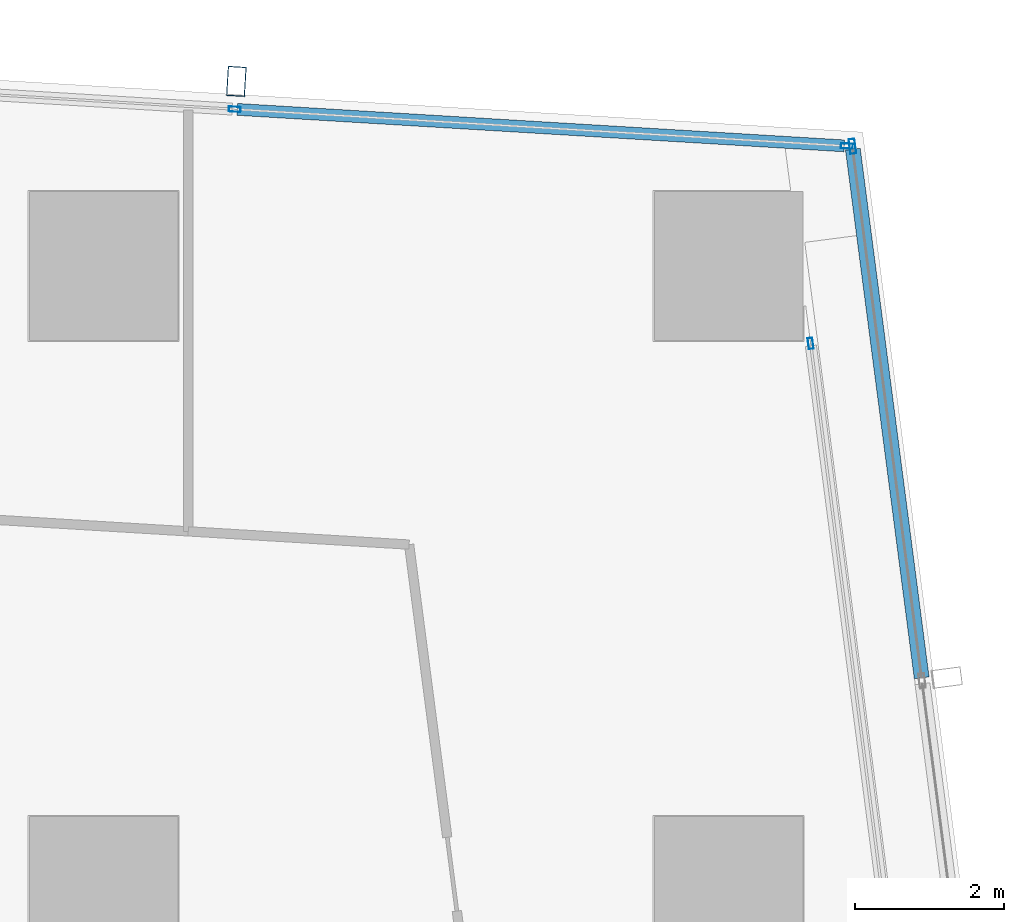
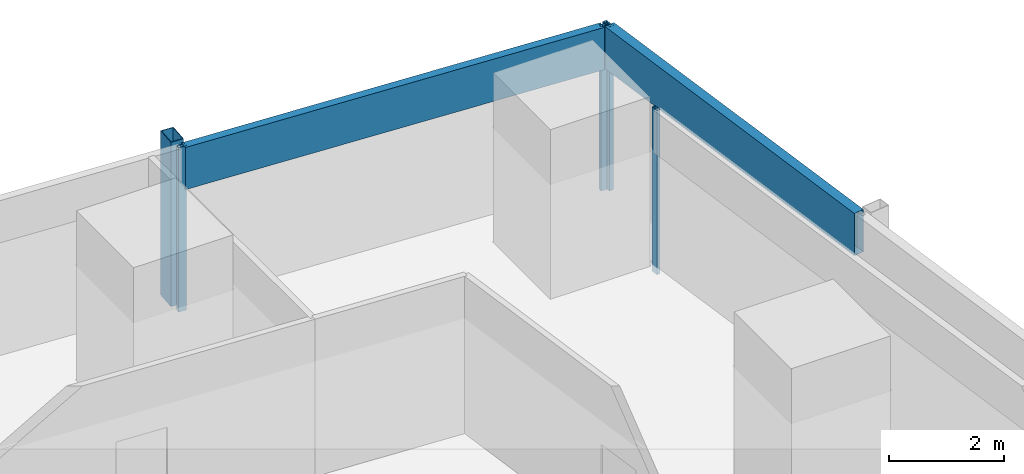
# One storey, part 19 of 36: 7 members, 3 elements without a shape of their own.
"""IFC4 building model written with IfcOpenShell, lengths in metres."""

from ifc_helpers import new_model, si_unit, direction, frame, origin, origin_2d, place, context, subcontext, project, spatial, hollow_rectangle, extrude, material, material_profile, profile_set, type_object, element, aggregate, save


model = new_model("IFC4")

# Units and contexts
model_context = context("Model", 3, precision=1e-05, world=origin(), true_north=direction((0.0, 1.0)))
body_context = subcontext(model_context, "Body", "Model", "MODEL_VIEW")
ifc_project = project(units=[si_unit("LENGTHUNIT", "METRE"), si_unit("AREAUNIT", "SQUARE_METRE"), si_unit("VOLUMEUNIT", "CUBIC_METRE"), si_unit("PLANEANGLEUNIT", "RADIAN"), si_unit("MASSUNIT", "GRAM", prefix="KILO")], contexts=[model_context])

# Site, building, storey
site_placement = place(None, origin())
site = spatial("IfcSite", under=ifc_project, at=site_placement, CompositionType="ELEMENT")
building_placement = place(site_placement, origin())
building = spatial("IfcBuilding", under=site, at=building_placement, Name="Rekha Terrace Tower", CompositionType="ELEMENT")
storey_placement = place(building_placement, frame((0.0, 0.0, 144.050048828125)))
storey = spatial("IfcBuildingStorey", under=building, at=storey_placement, Name="L36", CompositionType="ELEMENT", Elevation=144.050048828125)

# Curtain wall, member
ifc_material_1 = material(Name="Aluminium framing", Category="aluminium")
curtain_wall_type_1 = type_object("IfcCurtainWallType", Name="CW3 north unitised glazing", PredefinedType="USERDEFINED", material=ifc_material_1)
curtain_wall_1_placement = place(storey_placement, origin())
curtain_wall_1 = element("IfcCurtainWall", 1, at=curtain_wall_1_placement, inside=storey, type_object=curtain_wall_type_1, Name="CW3 unitised curtain wall", ObjectType="UNITISED CURTAIN WALL", PredefinedType="USERDEFINED")
ifc_material_2 = material(Name="Steel S355 with fluorocarbon finish", Category="steel")
ifc_material_profile_1 = material_profile(ifc_material_2, hollow_rectangle(XDim=0.25, YDim=0.39990234375, WallThickness=0.012451171875, at=origin_2d()), Name="RHS400x250x12.5")
ifc_profile_set_1 = profile_set([ifc_material_profile_1], Name="Steel S355 with fluorocarbon finish")
member_type_1 = type_object("IfcMemberType", Name="BL1 facade blade RHS 400 x 250", PredefinedType="USERDEFINED", material=ifc_profile_set_1)
member_1_placement = place(storey_placement, frame((60.583740234375, 61.281005859375, 0.0), z_axis=(0.0, 0.0, 1.0), x_axis=(-0.998199123409, 0.059987582268, 0.0)))
member_1 = element("IfcMember", 2, at=member_1_placement, type_object=member_type_1, Name="Facade blade", ObjectType="FACADE BLADE", PredefinedType="USERDEFINED", context=body_context, shape_type="SweptSolid", body=[
    extrude(hollow_rectangle(XDim=0.25, YDim=0.39990234375, WallThickness=0.012451171875, at=origin_2d()), origin(), (0.0, 0.0, 1.0), 3.5),
])

curtain_wall_type_2 = type_object("IfcCurtainWallType", Name="CW1 double skin inner glazing", PredefinedType="USERDEFINED", material=ifc_material_1)
curtain_wall_2_placement = place(storey_placement, origin())
curtain_wall_2 = element("IfcCurtainWall", 3, at=curtain_wall_2_placement, inside=storey, type_object=curtain_wall_type_2, Name="CW1 double skin inner glazing", ObjectType="DOUBLE SKIN INNER GLAZING", PredefinedType="USERDEFINED")
ifc_material_3 = material(Name="Aluminium mullion section", Category="aluminium")
ifc_material_profile_2 = material_profile(ifc_material_3, hollow_rectangle(XDim=0.06494140625, YDim=0.14990234375, WallThickness=0.00390625, at=origin_2d()), Name="AL RHS 65x150")
ifc_profile_set_2 = profile_set([ifc_material_profile_2], Name="Aluminium mullion section")
member_type_2 = type_object("IfcMemberType", Name="CW1 mullion RHS 65 x 150", PredefinedType="MULLION", material=ifc_profile_set_2)
member_2_placement = place(storey_placement, frame((68.30078125, 57.76025390625, 0.0), z_axis=(0.0, 0.0, 1.0), x_axis=(-0.991629186237, -0.129118383675, 0.0)))
member_2 = element("IfcMember", 4, at=member_2_placement, type_object=member_type_2, Name="CW1 mullion 2", PredefinedType="MULLION", context=body_context, shape_type="SweptSolid", body=[
    extrude(hollow_rectangle(XDim=0.06494140625, YDim=0.14990234375, WallThickness=0.00390625, at=origin_2d()), origin(), (0.0, 0.0, 1.0), 3.5),
])
aggregate(curtain_wall_2, [member_2])

# Curtain wall, members
curtain_wall_type_3 = type_object("IfcCurtainWallType", Name="CW2 double skin outer glazing", PredefinedType="USERDEFINED", material=ifc_material_1)
curtain_wall_3_placement = place(storey_placement, origin())
curtain_wall_3 = element("IfcCurtainWall", 5, at=curtain_wall_3_placement, inside=storey, type_object=curtain_wall_type_3, Name="CW2 double skin outer glazing", ObjectType="DOUBLE SKIN OUTER GLAZING", PredefinedType="USERDEFINED")
ifc_material_profile_3 = material_profile(ifc_material_3, hollow_rectangle(XDim=0.080078125, YDim=0.199951171875, WallThickness=0.00390625, at=origin_2d()), Name="AL RHS 80x200")
ifc_profile_set_3 = profile_set([ifc_material_profile_3], Name="Aluminium mullion section")
member_type_3 = type_object("IfcMemberType", Name="CW2 mullion RHS 80 x 200", PredefinedType="MULLION", material=ifc_profile_set_3)
member_3_placement = place(storey_placement, frame((68.863525390625, 60.408447265625, 0.0), z_axis=(0.0, 0.0, 1.0), x_axis=(-0.991629186244, -0.129118383623, 0.0)))
member_3 = element("IfcMember", 6, at=member_3_placement, type_object=member_type_3, Name="CW2 mullion 3", PredefinedType="MULLION", context=body_context, shape_type="SweptSolid", body=[
    extrude(hollow_rectangle(XDim=0.080078125, YDim=0.199951171875, WallThickness=0.00390625, at=origin_2d()), origin(), (0.0, 0.0, 1.0), 3.5),
])
ifc_material_4 = material(Name="Insulated aluminium spandrel box", Category="aluminium")
ifc_material_profile_4 = material_profile(ifc_material_4, hollow_rectangle(XDim=0.199951171875, YDim=0.89990234375, WallThickness=0.0029296875, at=origin_2d()), Name="AL SPANDREL BOX 200x900")
ifc_profile_set_4 = profile_set([ifc_material_profile_4], Name="Insulated aluminium spandrel box")
member_type_4 = type_object("IfcMemberType", Name="CW2 spandrel transom 200 x 900", PredefinedType="USERDEFINED", material=ifc_profile_set_4)
member_4_placement = place(storey_placement, frame((69.793701171875, 53.26513671875, 3.050048828125), z_axis=(-0.12912937971, 0.9916277544, 0.0), x_axis=(-0.9916277544, -0.12912937971, 0.0)))
member_4 = element("IfcMember", 7, at=member_4_placement, type_object=member_type_4, Name="CW2 spandrel transom 2", ObjectType="TRANSOM", PredefinedType="USERDEFINED", context=body_context, shape_type="SweptSolid", body=[
    extrude(hollow_rectangle(XDim=0.199951171875, YDim=0.89990234375, WallThickness=0.0029296875, at=origin_2d()), origin(), (0.0, 0.0, 1.0), 7.163818359375),
])
aggregate(curtain_wall_3, [member_3, member_4])

# Member
ifc_material_profile_5 = material_profile(ifc_material_3, hollow_rectangle(XDim=0.070068359375, YDim=0.159912109375, WallThickness=0.00390625, at=origin_2d()), Name="AL RHS 70x160")
ifc_profile_set_5 = profile_set([ifc_material_profile_5], Name="Aluminium mullion section")
member_type_5 = type_object("IfcMemberType", Name="CW3 mullion RHS 70 x 160", PredefinedType="MULLION", material=ifc_profile_set_5)
member_5_placement = place(storey_placement, frame((68.7880859375, 60.412353515625, 0.0), z_axis=(0.0, 0.0, 1.0), x_axis=(-0.059987926837, -0.998199102701, 0.0)))
member_5 = element("IfcMember", 8, at=member_5_placement, type_object=member_type_5, Name="CW3 mullion 1", PredefinedType="MULLION", context=body_context, shape_type="SweptSolid", body=[
    extrude(hollow_rectangle(XDim=0.070068359375, YDim=0.159912109375, WallThickness=0.00390625, at=origin_2d()), origin(), (0.0, 0.0, 1.0), 3.5),
])

member_6_placement = place(storey_placement, frame((60.561279296875, 60.90673828125, 0.0), z_axis=(0.0, 0.0, 1.0), x_axis=(-0.059987926837, -0.998199102701, 0.0)))
member_6 = element("IfcMember", 9, at=member_6_placement, type_object=member_type_5, Name="CW3 mullion 2", PredefinedType="MULLION", context=body_context, shape_type="SweptSolid", body=[
    extrude(hollow_rectangle(XDim=0.070068359375, YDim=0.159912109375, WallThickness=0.00390625, at=origin_2d()), origin(), (0.0, 0.0, 1.0), 3.5),
])

ifc_material_profile_6 = material_profile(ifc_material_4, hollow_rectangle(XDim=0.159912109375, YDim=0.89990234375, WallThickness=0.0029296875, at=origin_2d()), Name="AL SPANDREL BOX 160x900")
ifc_profile_set_6 = profile_set([ifc_material_profile_6], Name="Insulated aluminium spandrel box")
member_type_6 = type_object("IfcMemberType", Name="CW3 spandrel transom 160 x 900", PredefinedType="USERDEFINED", material=ifc_profile_set_6)
member_7_placement = place(storey_placement, frame((68.753173828125, 60.41455078125, 3.050048828125), z_axis=(-0.998198874769, 0.05999171951, 0.0), x_axis=(-0.05999171951, -0.998198874769, 0.0)))
member_7 = element("IfcMember", 10, at=member_7_placement, type_object=member_type_6, Name="CW3 spandrel transom 1", ObjectType="TRANSOM", PredefinedType="USERDEFINED", context=body_context, shape_type="SweptSolid", body=[
    extrude(hollow_rectangle(XDim=0.159912109375, YDim=0.89990234375, WallThickness=0.0029296875, at=origin_2d()), origin(), (0.0, 0.0, 1.0), 8.171630859375),
])

aggregate(curtain_wall_1, [member_5, member_6, member_7, member_1])

save(model, "model.ifc")
